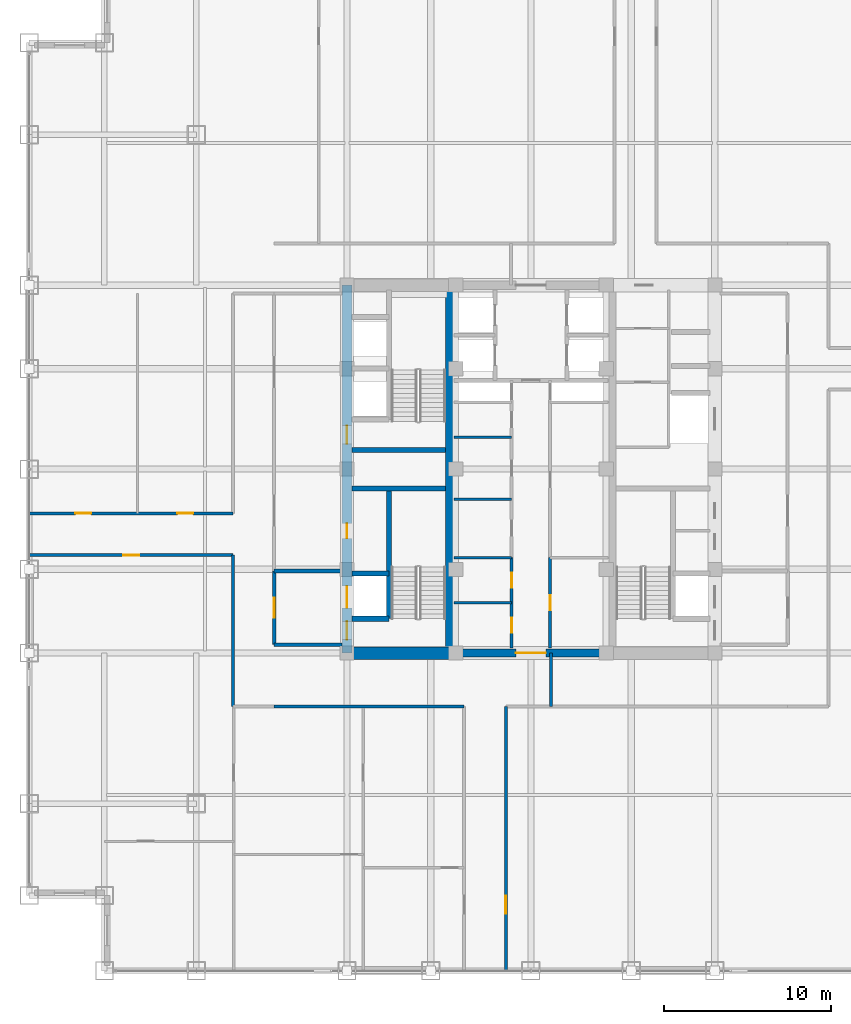
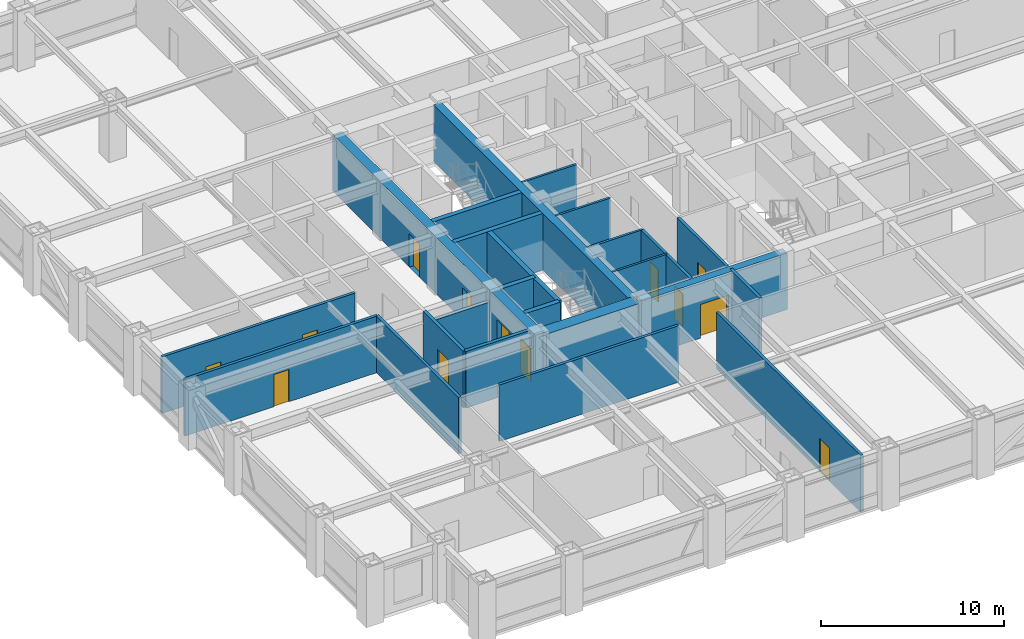
# One storey, part 20 of 24: 24 walls, 13 doors, 13 openings.
"""IFC4 building model written with IfcOpenShell, lengths in metres."""

from ifc_helpers import new_model, si_unit, direction, frame, frame_2d, origin, place, context, subcontext, project, spatial, rectangle, extrude, source, transform, mapped, material, layer, layer_set, type_object, element, fill, save


model = new_model("IFC4")

# Units and contexts
model_context = context("Model", 3, precision=1e-05, world=origin(), true_north=direction((0.0, 1.0)))
body_context = subcontext(model_context, "Body", "Model", "MODEL_VIEW")
ifc_project = project(units=[si_unit("LENGTHUNIT", "METRE"), si_unit("AREAUNIT", "SQUARE_METRE"), si_unit("VOLUMEUNIT", "CUBIC_METRE"), si_unit("PLANEANGLEUNIT", "RADIAN"), si_unit("MASSUNIT", "GRAM", prefix="KILO")], contexts=[model_context])

# Site, building, storey
site_placement = place(None, origin())
site = spatial("IfcSite", under=ifc_project, at=site_placement, CompositionType="ELEMENT")
building_placement = place(site_placement, origin())
building = spatial("IfcBuilding", under=site, at=building_placement, Name="Khorayat Bourse Tower", CompositionType="ELEMENT")
storey_placement = place(building_placement, frame((0.0, 0.0, 175.10009765625)))
storey = spatial("IfcBuildingStorey", under=building, at=storey_placement, Name="L40", CompositionType="ELEMENT", Elevation=175.10009765625)

# Wall, openings, doors
ifc_material_1 = material(Name="Concrete C60/75", Category="concrete")
ifc_layer_1 = layer(ifc_material_1, 0.60009765625)
ifc_layer_set_1 = layer_set([ifc_layer_1], Name="Concrete C60/75")
wall_type_1 = type_object("IfcWallType", Name="WAL-CORE-600", PredefinedType="SHEAR", material=ifc_layer_set_1)
shared_shape_1 = source(origin(), body_context, "Body", "SweptSolid", [
    extrude(rectangle(XDim=22.0, YDim=0.60009765625, at=frame_2d((11.0, 0.0))), origin(), (0.0, 0.0, 1.0), 3.77978515625),
])
wall_1_placement = place(storey_placement, frame((-11.0, -11.0, 0.0), z_axis=(0.0, 0.0, 1.0), x_axis=(0.0, 1.0, 0.0)))
wall_1 = element("IfcWall", 1, at=wall_1_placement, inside=storey, type_object=wall_type_1, Name="L40 Core Shear Wall CORE-W", PredefinedType="SHEAR", context=body_context, shape_type="MappedRepresentation", body=[
    mapped(shared_shape_1, transform((0.0, 0.0, 0.0), scale=1.0)),
])
shared_shape_2 = source(origin(), body_context, "Body", "SweptSolid", [
    extrude(rectangle(XDim=1.10009765625, YDim=2.199951171875, at=frame_2d((0.550048828125, 1.10009765625))), frame((0.0, 0.31005859375, 0.0), z_axis=(0.0, -1.0, 0.0), x_axis=(1.0, 0.0, 0.0)), (0.0, 0.0, 1.0), 0.6201171875),
])
opening_1_placement = place(wall_1_placement, frame((0.800048828125, 0.0, 0.0)))
opening_1 = element("IfcOpeningElement", 2, at=opening_1_placement, cuts=wall_1, Name="Opening DI-01", PredefinedType="OPENING", context=body_context, shape_type="MappedRepresentation", body=[
    mapped(shared_shape_2, transform((0.0, 0.0, 0.0), scale=1.0)),
])
opening_2_placement = place(wall_1_placement, frame((12.5, 0.0, 0.0)))
opening_2 = element("IfcOpeningElement", 3, at=opening_2_placement, cuts=wall_1, Name="Opening DI-01", PredefinedType="OPENING", context=body_context, shape_type="MappedRepresentation", body=[
    mapped(shared_shape_2, transform((0.0, 0.0, 0.0), scale=1.0)),
])
shared_shape_3 = source(origin(), body_context, "Body", "SweptSolid", [
    extrude(rectangle(XDim=0.89990234375, YDim=2.14990234375, at=frame_2d((0.449951171875, 1.074951171875))), frame((0.0, 0.31005859375, 0.0), z_axis=(0.0, -1.0, 0.0), x_axis=(1.0, 0.0, 0.0)), (0.0, 0.0, 1.0), 0.6201171875),
])
opening_3_placement = place(wall_1_placement, frame((6.85009765625, 0.0, 0.0)))
opening_3 = element("IfcOpeningElement", 4, at=opening_3_placement, cuts=wall_1, Name="Opening DI-06", PredefinedType="OPENING", context=body_context, shape_type="MappedRepresentation", body=[
    mapped(shared_shape_3, transform((0.0, 0.0, 0.0), scale=1.0)),
])
shared_shape_4 = source(origin(), body_context, "Body", "SweptSolid", [
    extrude(rectangle(XDim=1.300048828125, YDim=2.300048828125, at=frame_2d((0.64990234375, 1.14990234375))), frame((0.0, 0.31005859375, 0.0), z_axis=(0.0, -1.0, 0.0), x_axis=(1.0, 0.0, 0.0)), (0.0, 0.0, 1.0), 0.6201171875),
])
opening_4_placement = place(wall_1_placement, frame((2.699951171875, 0.0, 0.0)))
opening_4 = element("IfcOpeningElement", 5, at=opening_4_placement, cuts=wall_1, Name="Opening LD-02", PredefinedType="OPENING", context=body_context, shape_type="MappedRepresentation", body=[
    mapped(shared_shape_4, transform((0.0, 0.0, 0.0), scale=1.0)),
])
ifc_material_2 = material(Name="Fire-rated steel acoustic leaf", Category="steel")
door_type_1 = type_object("IfcDoorType", Name="DR-INT-STAIR-1100", OperationType="NOTDEFINED", PredefinedType="DOOR", material=ifc_material_2)
shared_shape_5 = source(origin(), body_context, "Body", "SweptSolid", [
    extrude(rectangle(XDim=1.10009765625, YDim=2.199951171875, at=frame_2d((0.550048828125, 1.10009765625))), frame((0.0, 0.02490234375, 0.0), z_axis=(0.0, -1.0, 0.0), x_axis=(1.0, 0.0, 0.0)), (0.0, 0.0, 1.0), 0.050048828125),
])
door_1_placement = place(opening_1_placement, origin())
door_1 = element("IfcDoor", 6, at=door_1_placement, inside=storey, type_object=door_type_1, Name="L40 Exit Stair 1 Door", OperationType="SINGLE_SWING_RIGHT", OverallHeight=2.199951171875, OverallWidth=1.10009765625, PredefinedType="DOOR", context=body_context, shape_type="MappedRepresentation", body=[
    mapped(shared_shape_5, transform((0.0, 0.0, 0.0), scale=1.0)),
])
fill(opening_1, door_1)
door_2_placement = place(opening_2_placement, origin())
door_2 = element("IfcDoor", 7, at=door_2_placement, inside=storey, type_object=door_type_1, Name="L40 Exit Stair 2 Door", OperationType="SINGLE_SWING_RIGHT", OverallHeight=2.199951171875, OverallWidth=1.10009765625, PredefinedType="DOOR", context=body_context, shape_type="MappedRepresentation", body=[
    mapped(shared_shape_5, transform((0.0, 0.0, 0.0), scale=1.0)),
])
fill(opening_2, door_2)
ifc_material_3 = material(Name="Moisture-resistant laminate washroom door")
door_type_2 = type_object("IfcDoorType", Name="DR-INT-WC-900", OperationType="NOTDEFINED", PredefinedType="DOOR", material=ifc_material_3)
shared_shape_6 = source(origin(), body_context, "Body", "SweptSolid", [
    extrude(rectangle(XDim=0.89990234375, YDim=2.14990234375, at=frame_2d((0.449951171875, 1.074951171875))), frame((0.0, 0.02490234375, 0.0), z_axis=(0.0, -1.0, 0.0), x_axis=(1.0, 0.0, 0.0)), (0.0, 0.0, 1.0), 0.050048828125),
])
door_3_placement = place(opening_3_placement, origin())
door_3 = element("IfcDoor", 8, at=door_3_placement, inside=storey, type_object=door_type_2, Name="L40 Electrical Switch Plant Room Door", OperationType="SINGLE_SWING_RIGHT", OverallHeight=2.14990234375, OverallWidth=0.89990234375, PredefinedType="DOOR", context=body_context, shape_type="MappedRepresentation", body=[
    mapped(shared_shape_6, transform((0.0, 0.0, 0.0), scale=1.0)),
])
fill(opening_3, door_3)
ifc_material_4 = material(Name="Fire-rated stainless-steel sliding landing door", Category="steel")
door_type_3 = type_object("IfcDoorType", Name="DR-LIFT-FF-1300", OperationType="NOTDEFINED", PredefinedType="DOOR", material=ifc_material_4)
shared_shape_7 = source(origin(), body_context, "Body", "SweptSolid", [
    extrude(rectangle(XDim=1.300048828125, YDim=2.300048828125, at=frame_2d((0.64990234375, 1.14990234375))), frame((0.0, 0.02490234375, 0.0), z_axis=(0.0, -1.0, 0.0), x_axis=(1.0, 0.0, 0.0)), (0.0, 0.0, 1.0), 0.050048828125),
])
door_4_placement = place(opening_4_placement, origin())
door_4 = element("IfcDoor", 9, at=door_4_placement, inside=storey, type_object=door_type_3, Name="L40 Lift FFL-01 Sliding Landing Door", OperationType="SLIDING_TO_LEFT", OverallHeight=2.300048828125, OverallWidth=1.300048828125, PredefinedType="DOOR", context=body_context, shape_type="MappedRepresentation", body=[
    mapped(shared_shape_7, transform((0.0, 0.0, 0.0), scale=1.0)),
])
fill(opening_4, door_4)

# Walls
ifc_material_5 = material(Name="Concrete C52/65", Category="concrete")
ifc_layer_2 = layer(ifc_material_5, 0.5)
ifc_layer_set_2 = layer_set([ifc_layer_2], Name="Concrete C52/65")
wall_type_2 = type_object("IfcWallType", Name="WAL-CORE-500", PredefinedType="SHEAR", material=ifc_layer_set_2)
shared_shape_8 = source(origin(), body_context, "Body", "SweptSolid", [
    extrude(rectangle(XDim=21.39990234375, YDim=0.5, at=frame_2d((10.699951171875, 0.0))), origin(), (0.0, 0.0, 1.0), 3.77978515625),
])
wall_2_placement = place(storey_placement, frame((-4.85009765625, -10.699951171875, 0.0), z_axis=(0.0, 0.0, 1.0), x_axis=(0.0, 1.0, 0.0)))
element("IfcWall", 10, at=wall_2_placement, inside=storey, type_object=wall_type_2, Name="L40 Core Shear Wall PIER-W", PredefinedType="SHEAR", context=body_context, shape_type="MappedRepresentation", body=[
    mapped(shared_shape_8, transform((0.0, 0.0, 0.0), scale=1.0)),
])
ifc_material_6 = material(Name="Concrete C72/90", Category="concrete")
ifc_layer_3 = layer(ifc_material_6, 0.75)
ifc_layer_set_3 = layer_set([ifc_layer_3], Name="Concrete C72/90")
wall_type_3 = type_object("IfcWallType", Name="WAL-CORE-750", PredefinedType="SHEAR", material=ifc_layer_set_3)
shared_shape_9 = source(origin(), body_context, "Body", "SweptSolid", [
    extrude(rectangle(XDim=5.849853515625, YDim=0.75, at=frame_2d((2.9248046875, 0.0))), origin(), (0.0, 0.0, 1.0), 3.77978515625),
])
wall_3_placement = place(storey_placement, frame((-10.699951171875, -11.0, 0.0), z_axis=(0.0, 0.0, 1.0), x_axis=(1.0, 0.0, 0.0)))
element("IfcWall", 11, at=wall_3_placement, inside=storey, type_object=wall_type_3, Name="L40 Core Shear Wall PIER-WS", PredefinedType="SHEAR", context=body_context, shape_type="MappedRepresentation", body=[
    mapped(shared_shape_9, transform((0.0, 0.0, 0.0), scale=1.0)),
])
ifc_material_7 = material(Name="Concrete C50/60", Category="concrete")
ifc_layer_4 = layer(ifc_material_7, 0.300048828125)
ifc_layer_set_4 = layer_set([ifc_layer_4], Name="Concrete C50/60")
wall_type_4 = type_object("IfcWallType", Name="WAL-SHAFT-300", PredefinedType="SHEAR", material=ifc_layer_set_4)
shared_shape_10 = source(origin(), body_context, "Body", "SweptSolid", [
    extrude(rectangle(XDim=5.599853515625, YDim=0.300048828125, at=frame_2d((2.7998046875, 0.0))), origin(), (0.0, 0.0, 1.0), 3.77978515625),
])
for number, where, z_axis, x_axis, name in (
    (12, (-10.699951171875, -1.14990234375, 0.0), (0.0, 0.0, 1.0), (1.0, 0.0, 0.0), "L40 Core Shear Wall ST1-DIV"),
    (13, (-10.699951171875, 1.14990234375, 0.0), (0.0, 0.0, 1.0), (1.0, 0.0, 0.0), "L40 Core Shear Wall ST2-DIV"),
):
    element("IfcWall", number, at=place(storey_placement, frame(where, z_axis=z_axis, x_axis=x_axis)), inside=storey, type_object=wall_type_4, Name=name, PredefinedType="SHEAR", context=body_context, shape_type="MappedRepresentation", body=[
        mapped(shared_shape_10, transform((0.0, 0.0, 0.0), scale=1.0)),
    ])

# Wall, opening, door
shared_shape_11 = source(origin(), body_context, "Body", "SweptSolid", [
    extrude(rectangle(XDim=9.2001953125, YDim=0.5, at=frame_2d((4.60009765625, 0.0))), origin(), (0.0, 0.0, 1.0), 3.77978515625),
])
wall_4_placement = place(storey_placement, frame((-4.60009765625, -11.0, 0.0), z_axis=(0.0, 0.0, 1.0), x_axis=(1.0, 0.0, 0.0)))
wall_4 = element("IfcWall", 14, at=wall_4_placement, inside=storey, type_object=wall_type_2, Name="L40 Core Shear Wall CORE-S", PredefinedType="SHEAR", context=body_context, shape_type="MappedRepresentation", body=[
    mapped(shared_shape_11, transform((0.0, 0.0, 0.0), scale=1.0)),
])
shared_shape_12 = source(origin(), body_context, "Body", "SweptSolid", [
    extrude(rectangle(XDim=1.800048828125, YDim=2.25, at=frame_2d((0.89990234375, 1.125))), frame((0.0, 0.260009765625, 0.0), z_axis=(0.0, -1.0, 0.0), x_axis=(1.0, 0.0, 0.0)), (0.0, 0.0, 1.0), 0.52001953125),
])
opening_5_placement = place(wall_4_placement, frame((3.699951171875, 0.0, 0.0)))
opening_5 = element("IfcOpeningElement", 15, at=opening_5_placement, cuts=wall_4, Name="Opening DI-03", PredefinedType="OPENING", context=body_context, shape_type="MappedRepresentation", body=[
    mapped(shared_shape_12, transform((0.0, 0.0, 0.0), scale=1.0)),
])
ifc_material_8 = material(Name="Fire-rated hardwood vision-panel double leaf", Category="wood")
door_type_4 = type_object("IfcDoorType", Name="DR-INT-CORR-1800", OperationType="NOTDEFINED", PredefinedType="DOOR", material=ifc_material_8)
shared_shape_13 = source(origin(), body_context, "Body", "SweptSolid", [
    extrude(rectangle(XDim=1.800048828125, YDim=2.25, at=frame_2d((0.89990234375, 1.125))), frame((0.0, 0.02490234375, 0.0), z_axis=(0.0, -1.0, 0.0), x_axis=(1.0, 0.0, 0.0)), (0.0, 0.0, 1.0), 0.050048828125),
])
door_5_placement = place(opening_5_placement, origin())
door_5 = element("IfcDoor", 16, at=door_5_placement, inside=storey, type_object=door_type_4, Name="L40 Central Core South Passage Door", OperationType="SINGLE_SWING_LEFT", OverallHeight=2.25, OverallWidth=1.800048828125, PredefinedType="DOOR", context=body_context, shape_type="MappedRepresentation", body=[
    mapped(shared_shape_13, transform((0.0, 0.0, 0.0), scale=1.0)),
])
fill(opening_5, door_5)

# Walls
shared_shape_14 = source(origin(), body_context, "Body", "SweptSolid", [
    extrude(rectangle(XDim=7.800048828125, YDim=0.300048828125, at=frame_2d((3.89990234375, 0.0))), origin(), (0.0, 0.0, 1.0), 3.77978515625),
])
wall_5_placement = place(storey_placement, frame((-8.5, -8.949951171875, 0.0), z_axis=(0.0, 0.0, 1.0), x_axis=(0.0, 1.0, 0.0)))
element("IfcWall", 17, at=wall_5_placement, inside=storey, type_object=wall_type_4, Name="L40 Partition WAL-L40-WPIER-SP", PredefinedType="SHEAR", context=body_context, shape_type="MappedRepresentation", body=[
    mapped(shared_shape_14, transform((0.0, 0.0, 0.0), scale=1.0)),
])
shared_shape_15 = source(origin(), body_context, "Body", "SweptSolid", [
    extrude(rectangle(XDim=2.199951171875, YDim=0.300048828125, at=frame_2d((1.10009765625, 0.0))), origin(), (0.0, 0.0, 1.0), 3.77978515625),
])
for number, where, z_axis, x_axis, name in (
    (18, (-10.699951171875, -8.949951171875, 0.0), (0.0, 0.0, 1.0), (1.0, 0.0, 0.0), "L40 Partition WAL-L40-WPIER-FF1S"),
    (19, (-10.699951171875, -6.25, 0.0), (0.0, 0.0, 1.0), (1.0, 0.0, 0.0), "L40 Partition WAL-L40-WPIER-FF1N"),
):
    element("IfcWall", number, at=place(storey_placement, frame(where, z_axis=z_axis, x_axis=x_axis)), inside=storey, type_object=wall_type_4, Name=name, PredefinedType="SHEAR", context=body_context, shape_type="MappedRepresentation", body=[
        mapped(shared_shape_15, transform((0.0, 0.0, 0.0), scale=1.0)),
    ])
ifc_material_9 = material(Name="Aerated concrete blockwork", Category="masonry")
ifc_layer_5 = layer(ifc_material_9, 0.219970703125)
ifc_layer_set_5 = layer_set([ifc_layer_5], Name="Aerated concrete blockwork")
wall_type_5 = type_object("IfcWallType", Name="WAL-PART-FF-220", PredefinedType="PARTITIONING", material=ifc_layer_set_5)
shared_shape_16 = source(origin(), body_context, "Body", "SweptSolid", [
    extrude(rectangle(XDim=4.050048828125, YDim=0.219970703125, at=frame_2d((2.02490234375, 0.0))), origin(), (0.0, 0.0, 1.0), 3.77978515625),
])
wall_6_placement = place(storey_placement, frame((-15.35009765625, -10.5, 0.0), z_axis=(0.0, 0.0, 1.0), x_axis=(1.0, 0.0, 0.0)))
element("IfcWall", 20, at=wall_6_placement, inside=storey, type_object=wall_type_5, Name="L40 Partition WAL-L40-FFLW-S", PredefinedType="PARTITIONING", context=body_context, shape_type="MappedRepresentation", body=[
    mapped(shared_shape_16, transform((0.0, 0.0, 0.0), scale=1.0)),
])
shared_shape_17 = source(origin(), body_context, "Body", "SweptSolid", [
    extrude(rectangle(XDim=4.050048828125, YDim=0.219970703125, at=frame_2d((2.02490234375, 0.0))), origin(), (0.0, 0.0, 1.0), 3.0068359375),
])
wall_7_placement = place(storey_placement, frame((-15.35009765625, -6.10009765625, 0.0), z_axis=(0.0, 0.0, 1.0), x_axis=(1.0, 0.0, 0.0)))
element("IfcWall", 21, at=wall_7_placement, inside=storey, type_object=wall_type_5, Name="L40 Partition WAL-L40-FFLW-N", PredefinedType="PARTITIONING", context=body_context, shape_type="MappedRepresentation", body=[
    mapped(shared_shape_17, transform((0.0, 0.0, 0.0), scale=1.0)),
])

# Wall, opening, door
shared_shape_18 = source(origin(), body_context, "Body", "SweptSolid", [
    extrude(rectangle(XDim=4.39990234375, YDim=0.219970703125, at=frame_2d((2.199951171875, 0.0))), origin(), (0.0, 0.0, 1.0), 3.77978515625),
])
wall_8_placement = place(storey_placement, frame((-15.35009765625, -10.5, 0.0), z_axis=(0.0, 0.0, 1.0), x_axis=(0.0, 1.0, 0.0)))
wall_8 = element("IfcWall", 22, at=wall_8_placement, inside=storey, type_object=wall_type_5, Name="L40 Partition WAL-L40-FFLW-W", PredefinedType="PARTITIONING", context=body_context, shape_type="MappedRepresentation", body=[
    mapped(shared_shape_18, transform((0.0, 0.0, 0.0), scale=1.0)),
])
shared_shape_19 = source(origin(), body_context, "Body", "SweptSolid", [
    extrude(rectangle(XDim=1.199951171875, YDim=2.199951171875, at=frame_2d((0.60009765625, 1.10009765625))), frame((0.0, 0.119873046875, 0.0), z_axis=(0.0, -1.0, 0.0), x_axis=(1.0, 0.0, 0.0)), (0.0, 0.0, 1.0), 0.239990234375),
])
opening_6_placement = place(wall_8_placement, frame((1.60009765625, 0.0, 0.0)))
opening_6 = element("IfcOpeningElement", 23, at=opening_6_placement, cuts=wall_8, Name="Opening DI-02", PredefinedType="OPENING", context=body_context, shape_type="MappedRepresentation", body=[
    mapped(shared_shape_19, transform((0.0, 0.0, 0.0), scale=1.0)),
])
ifc_material_10 = material(Name="Fire-rated steel double-seal leaf", Category="steel")
door_type_5 = type_object("IfcDoorType", Name="DR-INT-FFLOBBY-1200", OperationType="NOTDEFINED", PredefinedType="DOOR", material=ifc_material_10)
shared_shape_20 = source(origin(), body_context, "Body", "SweptSolid", [
    extrude(rectangle(XDim=1.199951171875, YDim=2.199951171875, at=frame_2d((0.60009765625, 1.10009765625))), frame((0.0, 0.02490234375, 0.0), z_axis=(0.0, -1.0, 0.0), x_axis=(1.0, 0.0, 0.0)), (0.0, 0.0, 1.0), 0.050048828125),
])
door_6_placement = place(opening_6_placement, origin())
door_6 = element("IfcDoor", 24, at=door_6_placement, inside=storey, type_object=door_type_5, Name="L40 West Firefighting Lobby Door", OperationType="SINGLE_SWING_LEFT", OverallHeight=2.199951171875, OverallWidth=1.199951171875, PredefinedType="DOOR", context=body_context, shape_type="MappedRepresentation", body=[
    mapped(shared_shape_20, transform((0.0, 0.0, 0.0), scale=1.0)),
])
fill(opening_6, door_6)

# Walls
ifc_material_11 = material(Name="Gypsum plasterboard twin-frame partition")
ifc_layer_6 = layer(ifc_material_11, 0.14990234375)
ifc_layer_set_6 = layer_set([ifc_layer_6], Name="Gypsum plasterboard twin-frame partition")
wall_type_6 = type_object("IfcWallType", Name="WAL-PART-SUITE-150", PredefinedType="PARTITIONING", material=ifc_layer_set_6)
shared_shape_21 = source(origin(), body_context, "Body", "SweptSolid", [
    extrude(rectangle(XDim=3.4501953125, YDim=0.14990234375, at=frame_2d((1.72509765625, 0.0))), origin(), (0.0, 0.0, 1.0), 3.77978515625),
])
wall_9_placement = place(storey_placement, frame((-4.60009765625, -5.300048828125, 0.0), z_axis=(0.0, 0.0, 1.0), x_axis=(1.0, 0.0, 0.0)))
element("IfcWall", 25, at=wall_9_placement, inside=storey, type_object=wall_type_6, Name="L40 Partition WAL-L40-FB1-NW", PredefinedType="PARTITIONING", context=body_context, shape_type="MappedRepresentation", body=[
    mapped(shared_shape_21, transform((0.0, 0.0, 0.0), scale=1.0)),
])
ifc_material_12 = material(Name="Moisture-resistant masonry partition", Category="masonry")
ifc_layer_7 = layer(ifc_material_12, 0.139892578125)
ifc_layer_set_7 = layer_set([ifc_layer_7], Name="Moisture-resistant masonry partition")
wall_type_7 = type_object("IfcWallType", Name="WAL-PART-WET-140", PredefinedType="PARTITIONING", material=ifc_layer_set_7)
shared_shape_22 = source(origin(), body_context, "Body", "SweptSolid", [
    extrude(rectangle(XDim=3.4501953125, YDim=0.139892578125, at=frame_2d((1.72509765625, 0.0))), origin(), (0.0, 0.0, 1.0), 3.77978515625),
])
for number, where, z_axis, x_axis, name in (
    (26, (-4.60009765625, -8.0, 0.0), (0.0, 0.0, 1.0), (1.0, 0.0, 0.0), "L40 Partition WAL-L40-FB1W-D1"),
    (27, (-4.60009765625, -1.800048828125, 0.0), (0.0, 0.0, 1.0), (1.0, 0.0, 0.0), "L40 Partition WAL-L40-CMW-D1"),
    (28, (-4.60009765625, 1.89990234375, 0.0), (0.0, 0.0, 1.0), (1.0, 0.0, 0.0), "L40 Partition WAL-L40-CMW-D2"),
):
    element("IfcWall", number, at=place(storey_placement, frame(where, z_axis=z_axis, x_axis=x_axis)), inside=storey, type_object=wall_type_7, Name=name, PredefinedType="PARTITIONING", context=body_context, shape_type="MappedRepresentation", body=[
        mapped(shared_shape_22, transform((0.0, 0.0, 0.0), scale=1.0)),
    ])

# Wall, openings, doors
ifc_material_13 = material(Name="Gypsum plasterboard acoustic stud wall")
ifc_layer_8 = layer(ifc_material_13, 0.179931640625)
ifc_layer_set_8 = layer_set([ifc_layer_8], Name="Gypsum plasterboard acoustic stud wall")
wall_type_8 = type_object("IfcWallType", Name="WAL-PART-CORR-180", PredefinedType="PARTITIONING", material=ifc_layer_set_8)
shared_shape_23 = source(origin(), body_context, "Body", "SweptSolid", [
    extrude(rectangle(XDim=5.39990234375, YDim=0.179931640625, at=frame_2d((2.699951171875, 0.0))), origin(), (0.0, 0.0, 1.0), 3.77978515625),
])
wall_10_placement = place(storey_placement, frame((-1.14990234375, -10.699951171875, 0.0), z_axis=(0.0, 0.0, 1.0), x_axis=(0.0, 1.0, 0.0)))
wall_10 = element("IfcWall", 29, at=wall_10_placement, inside=storey, type_object=wall_type_8, Name="L40 Partition WAL-L40-FB1W-L", PredefinedType="PARTITIONING", context=body_context, shape_type="MappedRepresentation", body=[
    mapped(shared_shape_23, transform((0.0, 0.0, 0.0), scale=1.0)),
])
shared_shape_24 = source(origin(), body_context, "Body", "SweptSolid", [
    extrude(rectangle(XDim=0.89990234375, YDim=2.14990234375, at=frame_2d((0.449951171875, 1.074951171875))), frame((0.0, 0.099853515625, 0.0), z_axis=(0.0, -1.0, 0.0), x_axis=(1.0, 0.0, 0.0)), (0.0, 0.0, 1.0), 0.199951171875),
])
opening_7_placement = place(wall_10_placement, frame((0.89990234375, 0.0, 0.0)))
opening_7 = element("IfcOpeningElement", 30, at=opening_7_placement, cuts=wall_10, Name="Opening DI-06", PredefinedType="OPENING", context=body_context, shape_type="MappedRepresentation", body=[
    mapped(shared_shape_24, transform((0.0, 0.0, 0.0), scale=1.0)),
])
opening_8_placement = place(wall_10_placement, frame((3.60009765625, 0.0, 0.0)))
opening_8 = element("IfcOpeningElement", 31, at=opening_8_placement, cuts=wall_10, Name="Opening DI-06", PredefinedType="OPENING", context=body_context, shape_type="MappedRepresentation", body=[
    mapped(shared_shape_24, transform((0.0, 0.0, 0.0), scale=1.0)),
])
door_7_placement = place(opening_7_placement, origin())
door_7 = element("IfcDoor", 32, at=door_7_placement, inside=storey, type_object=door_type_2, Name="L40 Clearing Vault Store Door", OperationType="SINGLE_SWING_RIGHT", OverallHeight=2.14990234375, OverallWidth=0.89990234375, PredefinedType="DOOR", context=body_context, shape_type="MappedRepresentation", body=[
    mapped(shared_shape_6, transform((0.0, 0.0, 0.0), scale=1.0)),
])
fill(opening_7, door_7)
door_8_placement = place(opening_8_placement, origin())
door_8 = element("IfcDoor", 33, at=door_8_placement, inside=storey, type_object=door_type_2, Name="L40 UPS Battery Plant Room Door", OperationType="SINGLE_SWING_LEFT", OverallHeight=2.14990234375, OverallWidth=0.89990234375, PredefinedType="DOOR", context=body_context, shape_type="MappedRepresentation", body=[
    mapped(shared_shape_6, transform((0.0, 0.0, 0.0), scale=1.0)),
])
fill(opening_8, door_8)

# Wall, opening, door
wall_11_placement = place(storey_placement, frame((1.14990234375, -10.699951171875, 0.0), z_axis=(0.0, 0.0, 1.0), x_axis=(0.0, 1.0, 0.0)))
wall_11 = element("IfcWall", 34, at=wall_11_placement, inside=storey, type_object=wall_type_8, Name="L40 Partition WAL-L40-FB1E-L", PredefinedType="PARTITIONING", context=body_context, shape_type="MappedRepresentation", body=[
    mapped(shared_shape_23, transform((0.0, 0.0, 0.0), scale=1.0)),
])
opening_9_placement = place(wall_11_placement, frame((2.25, 0.0, 0.0)))
opening_9 = element("IfcOpeningElement", 35, at=opening_9_placement, cuts=wall_11, Name="Opening DI-06", PredefinedType="OPENING", context=body_context, shape_type="MappedRepresentation", body=[
    mapped(shared_shape_24, transform((0.0, 0.0, 0.0), scale=1.0)),
])
door_9_placement = place(opening_9_placement, origin())
door_9 = element("IfcDoor", 36, at=door_9_placement, inside=storey, type_object=door_type_2, Name="L40 Core Archive Vault Door", OperationType="SINGLE_SWING_RIGHT", OverallHeight=2.14990234375, OverallWidth=0.89990234375, PredefinedType="DOOR", context=body_context, shape_type="MappedRepresentation", body=[
    mapped(shared_shape_6, transform((0.0, 0.0, 0.0), scale=1.0)),
])
fill(opening_9, door_9)

# Wall
shared_shape_25 = source(origin(), body_context, "Body", "SweptSolid", [
    extrude(rectangle(XDim=3.199951171875, YDim=0.179931640625, at=frame_2d((1.60009765625, 0.0))), origin(), (0.0, 0.0, 1.0), 3.77978515625),
])
wall_12_placement = place(storey_placement, frame((1.199951171875, -14.199951171875, 0.0), z_axis=(0.0, 0.0, 1.0), x_axis=(0.0, 1.0, 0.0)))
element("IfcWall", 37, at=wall_12_placement, inside=storey, type_object=wall_type_8, Name="L40 Partition WAL-L40-C2-SCE", PredefinedType="PARTITIONING", context=body_context, shape_type="MappedRepresentation", body=[
    mapped(shared_shape_25, transform((0.0, 0.0, 0.0), scale=1.0)),
])

# Wall, opening, door
shared_shape_26 = source(origin(), body_context, "Body", "SweptSolid", [
    extrude(rectangle(XDim=15.800048828125, YDim=0.179931640625, at=frame_2d((7.89990234375, 0.0))), origin(), (0.0, 0.0, 1.0), 3.77978515625),
])
wall_13_placement = place(storey_placement, frame((-1.5, -30.0, 0.0), z_axis=(0.0, 0.0, 1.0), x_axis=(0.0, 1.0, 0.0)))
wall_13 = element("IfcWall", 38, at=wall_13_placement, inside=storey, type_object=wall_type_8, Name="L40 Partition WAL-L40-QSE-SPK", PredefinedType="PARTITIONING", context=body_context, shape_type="MappedRepresentation", body=[
    mapped(shared_shape_26, transform((0.0, 0.0, 0.0), scale=1.0)),
])
shared_shape_27 = source(origin(), body_context, "Body", "SweptSolid", [
    extrude(rectangle(XDim=1.050048828125, YDim=2.199951171875, at=frame_2d((0.52490234375, 1.10009765625))), frame((0.0, 0.099853515625, 0.0), z_axis=(0.0, -1.0, 0.0), x_axis=(1.0, 0.0, 0.0)), (0.0, 0.0, 1.0), 0.199951171875),
])
opening_10_placement = place(wall_13_placement, frame((3.425048828125, 0.0, 0.0)))
opening_10 = element("IfcOpeningElement", 39, at=opening_10_placement, cuts=wall_13, Name="Opening DI-04", PredefinedType="OPENING", context=body_context, shape_type="MappedRepresentation", body=[
    mapped(shared_shape_27, transform((0.0, 0.0, 0.0), scale=1.0)),
])
ifc_material_14 = material(Name="Fire-rated oak veneer suite entrance door")
door_type_6 = type_object("IfcDoorType", Name="DR-INT-SUITE-1050", OperationType="NOTDEFINED", PredefinedType="DOOR", material=ifc_material_14)
shared_shape_28 = source(origin(), body_context, "Body", "SweptSolid", [
    extrude(rectangle(XDim=1.050048828125, YDim=2.199951171875, at=frame_2d((0.52490234375, 1.10009765625))), frame((0.0, 0.02490234375, 0.0), z_axis=(0.0, -1.0, 0.0), x_axis=(1.0, 0.0, 0.0)), (0.0, 0.0, 1.0), 0.050048828125),
])
door_10_placement = place(opening_10_placement, origin())
door_10 = element("IfcDoor", 40, at=door_10_placement, inside=storey, type_object=door_type_6, Name="L40 South-East Radial Spoke Entry", OperationType="SINGLE_SWING_LEFT", OverallHeight=2.199951171875, OverallWidth=1.050048828125, PredefinedType="DOOR", context=body_context, shape_type="MappedRepresentation", body=[
    mapped(shared_shape_28, transform((0.0, 0.0, 0.0), scale=1.0)),
])
fill(opening_10, door_10)

shared_shape_29 = source(origin(), body_context, "Body", "SweptSolid", [
    extrude(rectangle(XDim=12.199951171875, YDim=0.179931640625, at=frame_2d((6.10009765625, 0.0))), origin(), (0.0, 0.0, 1.0), 3.77978515625),
])
wall_14_placement = place(storey_placement, frame((-30.0, -5.14990234375, 0.0), z_axis=(0.0, 0.0, 1.0), x_axis=(1.0, 0.0, 0.0)))
wall_14 = element("IfcWall", 41, at=wall_14_placement, inside=storey, type_object=wall_type_8, Name="L40 Partition WAL-L40-WS-SPK", PredefinedType="PARTITIONING", context=body_context, shape_type="MappedRepresentation", body=[
    mapped(shared_shape_29, transform((0.0, 0.0, 0.0), scale=1.0)),
])
shared_shape_30 = source(origin(), body_context, "Body", "SweptSolid", [
    extrude(rectangle(XDim=0.949951171875, YDim=2.14990234375, at=frame_2d((0.47509765625, 1.074951171875))), frame((0.0, 0.099853515625, 0.0), z_axis=(0.0, -1.0, 0.0), x_axis=(1.0, 0.0, 0.0)), (0.0, 0.0, 1.0), 0.199951171875),
])
opening_11_placement = place(wall_14_placement, frame((5.625, 0.0, 0.0)))
opening_11 = element("IfcOpeningElement", 42, at=opening_11_placement, cuts=wall_14, Name="Opening DI-05", PredefinedType="OPENING", context=body_context, shape_type="MappedRepresentation", body=[
    mapped(shared_shape_30, transform((0.0, 0.0, 0.0), scale=1.0)),
])
ifc_material_15 = material(Name="Acoustic oak veneer office door")
door_type_7 = type_object("IfcDoorType", Name="DR-INT-OFFICE-950", OperationType="NOTDEFINED", PredefinedType="DOOR", material=ifc_material_15)
shared_shape_31 = source(origin(), body_context, "Body", "SweptSolid", [
    extrude(rectangle(XDim=0.949951171875, YDim=2.14990234375, at=frame_2d((0.47509765625, 1.074951171875))), frame((0.0, 0.02490234375, 0.0), z_axis=(0.0, -1.0, 0.0), x_axis=(1.0, 0.0, 0.0)), (0.0, 0.0, 1.0), 0.050048828125),
])
door_11_placement = place(opening_11_placement, origin())
door_11 = element("IfcDoor", 43, at=door_11_placement, inside=storey, type_object=door_type_7, Name="L40 Quantitative Research Study WS Door", OperationType="SINGLE_SWING_LEFT", OverallHeight=2.14990234375, OverallWidth=0.949951171875, PredefinedType="DOOR", context=body_context, shape_type="MappedRepresentation", body=[
    mapped(shared_shape_31, transform((0.0, 0.0, 0.0), scale=1.0)),
])
fill(opening_11, door_11)

# Wall, openings, doors
wall_15_placement = place(storey_placement, frame((-30.0, -2.64990234375, 0.0), z_axis=(0.0, 0.0, 1.0), x_axis=(1.0, 0.0, 0.0)))
wall_15 = element("IfcWall", 44, at=wall_15_placement, inside=storey, type_object=wall_type_8, Name="L40 Partition WAL-L40-WN-SPK", PredefinedType="PARTITIONING", context=body_context, shape_type="MappedRepresentation", body=[
    mapped(shared_shape_29, transform((0.0, 0.0, 0.0), scale=1.0)),
])
opening_12_placement = place(wall_15_placement, frame((2.758056640625, 0.0, 0.0)))
opening_12 = element("IfcOpeningElement", 45, at=opening_12_placement, cuts=wall_15, Name="Opening DI-05", PredefinedType="OPENING", context=body_context, shape_type="MappedRepresentation", body=[
    mapped(shared_shape_30, transform((0.0, 0.0, 0.0), scale=1.0)),
])
opening_13_placement = place(wall_15_placement, frame((8.85791015625, 0.0, 0.0)))
opening_13 = element("IfcOpeningElement", 46, at=opening_13_placement, cuts=wall_15, Name="Opening DI-05", PredefinedType="OPENING", context=body_context, shape_type="MappedRepresentation", body=[
    mapped(shared_shape_30, transform((0.0, 0.0, 0.0), scale=1.0)),
])
door_12_placement = place(opening_12_placement, origin())
door_12 = element("IfcDoor", 47, at=door_12_placement, inside=storey, type_object=door_type_7, Name="L40 Executive Boardroom WNA Door", OperationType="SINGLE_SWING_LEFT", OverallHeight=2.14990234375, OverallWidth=0.949951171875, PredefinedType="DOOR", context=body_context, shape_type="MappedRepresentation", body=[
    mapped(shared_shape_31, transform((0.0, 0.0, 0.0), scale=1.0)),
])
fill(opening_12, door_12)
door_13_placement = place(opening_13_placement, origin())
door_13 = element("IfcDoor", 48, at=door_13_placement, inside=storey, type_object=door_type_7, Name="L40 Market Committee Conference Room WNB Door", OperationType="SINGLE_SWING_RIGHT", OverallHeight=2.14990234375, OverallWidth=0.949951171875, PredefinedType="DOOR", context=body_context, shape_type="MappedRepresentation", body=[
    mapped(shared_shape_31, transform((0.0, 0.0, 0.0), scale=1.0)),
])
fill(opening_13, door_13)

# Walls
shared_shape_32 = source(origin(), body_context, "Body", "SweptSolid", [
    extrude(rectangle(XDim=11.35009765625, YDim=0.179931640625, at=frame_2d((5.675048828125, 0.0))), origin(), (0.0, 0.0, 1.0), 3.77978515625),
])
wall_16_placement = place(storey_placement, frame((-15.35009765625, -14.199951171875, 0.0), z_axis=(0.0, 0.0, 1.0), x_axis=(1.0, 0.0, 0.0)))
element("IfcWall", 49, at=wall_16_placement, inside=storey, type_object=wall_type_8, Name="L40 Partition WAL-L40-QSW-HC", PredefinedType="PARTITIONING", context=body_context, shape_type="MappedRepresentation", body=[
    mapped(shared_shape_32, transform((0.0, 0.0, 0.0), scale=1.0)),
])
shared_shape_33 = source(origin(), body_context, "Body", "SweptSolid", [
    extrude(rectangle(XDim=9.050048828125, YDim=0.179931640625, at=frame_2d((4.52490234375, 0.0))), origin(), (0.0, 0.0, 1.0), 3.77978515625),
])
wall_17_placement = place(storey_placement, frame((-17.800048828125, -14.199951171875, 0.0), z_axis=(0.0, 0.0, 1.0), x_axis=(0.0, 1.0, 0.0)))
element("IfcWall", 50, at=wall_17_placement, inside=storey, type_object=wall_type_8, Name="L40 Partition WAL-L40-WS-IN", PredefinedType="PARTITIONING", context=body_context, shape_type="MappedRepresentation", body=[
    mapped(shared_shape_33, transform((0.0, 0.0, 0.0), scale=1.0)),
])

save(model, "model.ifc")
